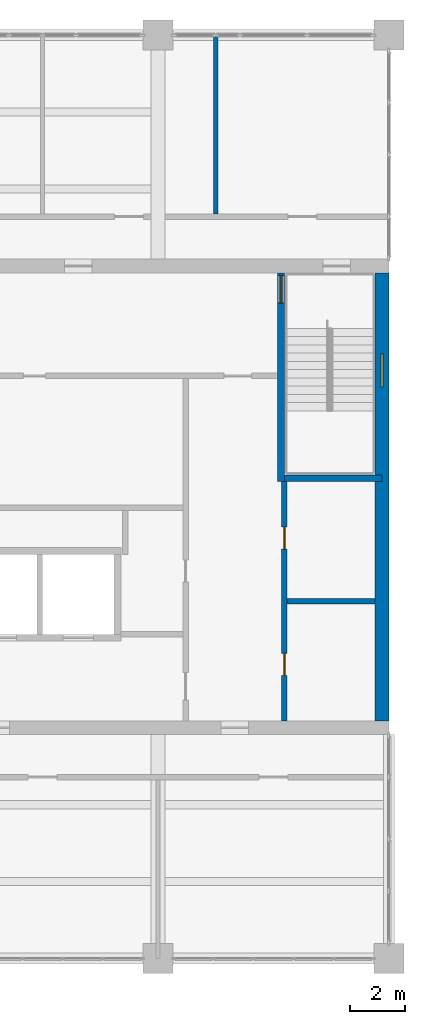
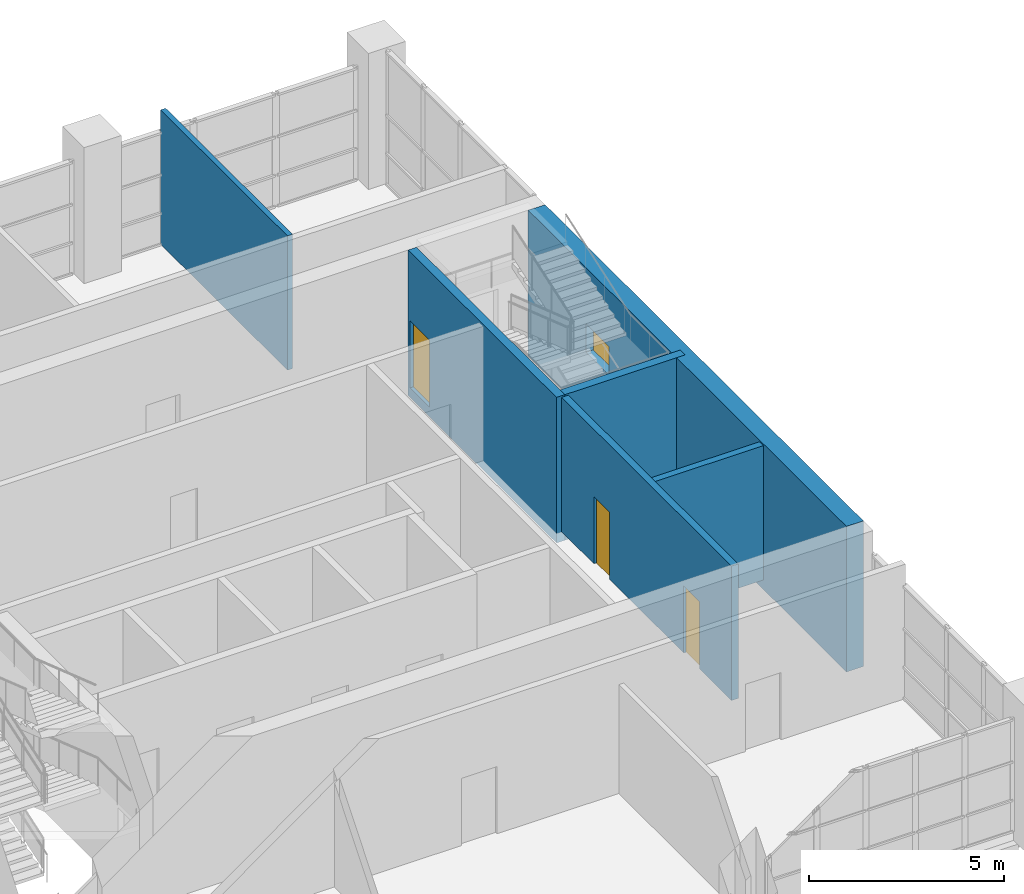
# One storey, part 37 of 64: 6 walls, 3 doors, 1 window, 4 openings.
"""IFC4 building model written with IfcOpenShell, lengths in metres."""

from ifc_helpers import new_model, si_unit, direction, frame, frame_2d, origin, place, context, subcontext, project, spatial, rectangle, extrude, material, layer, layer_set, type_object, element, fill, save


model = new_model("IFC4")

# Units and contexts
model_context = context("Model", 3, precision=1e-05, world=origin(), true_north=direction((0.0, 1.0)))
body_context = subcontext(model_context, "Body", "Model", "MODEL_VIEW")
ifc_project = project(units=[si_unit("LENGTHUNIT", "METRE"), si_unit("AREAUNIT", "SQUARE_METRE"), si_unit("VOLUMEUNIT", "CUBIC_METRE"), si_unit("PLANEANGLEUNIT", "RADIAN"), si_unit("MASSUNIT", "GRAM", prefix="KILO")], contexts=[model_context])

# Site, building, storey
site_placement = place(None, origin())
site = spatial("IfcSite", under=ifc_project, at=site_placement, CompositionType="ELEMENT")
building_placement = place(site_placement, origin())
building = spatial("IfcBuilding", under=site, at=building_placement, Name="Rulbaag Community and Learning Centre", CompositionType="ELEMENT")
storey_placement = place(building_placement, frame((0.0, 0.0, 5.39990234375)))
storey = spatial("IfcBuildingStorey", under=building, at=storey_placement, Name="L01", CompositionType="ELEMENT", Elevation=5.39990234375)

# Wall
ifc_material_1 = material(Name="Concrete blockwork", Category="masonry")
ifc_layer_1 = layer(ifc_material_1, 0.199951171875)
ifc_layer_set_1 = layer_set([ifc_layer_1], Name="FW-200 FIRE WALL 200")
wall_type_1 = type_object("IfcWallType", Name="FW-200 FIRE WALL 200", PredefinedType="SOLIDWALL", material=ifc_layer_set_1)
wall_1_placement = place(storey_placement, frame((164.300048828125, 97.0, 0.0), z_axis=(0.0, 0.0, 1.0), x_axis=(1.0, 0.0, 0.0)))
element("IfcWall", 1, at=wall_1_placement, inside=storey, type_object=wall_type_1, Name="Fire wall L01 42", PredefinedType="SOLIDWALL", context=body_context, shape_type="SweptSolid", body=[
    extrude(rectangle(XDim=3.199951171875, YDim=0.199951171875, at=frame_2d((1.60009765625, 0.0))), origin(), (0.0, 0.0, 1.0), 4.2001953125),
])

# Wall, openings, doors
wall_2_placement = place(storey_placement, frame((164.199951171875, 92.64990234375, 0.0), z_axis=(0.0, 0.0, 1.0), x_axis=(0.0, 1.0, 0.0)))
wall_2 = element("IfcWall", 2, at=wall_2_placement, inside=storey, type_object=wall_type_1, Name="Fire wall L01 94", PredefinedType="SOLIDWALL", context=body_context, shape_type="SweptSolid", body=[
    extrude(rectangle(XDim=8.7001953125, YDim=0.199951171875, at=frame_2d((4.35009765625, 0.0))), origin(), (0.0, 0.0, 1.0), 4.2001953125),
])
opening_1_placement = place(wall_2_placement, frame((1.64990234375, 0.0, 0.0)))
opening_1 = element("IfcOpeningElement", 3, at=opening_1_placement, cuts=wall_2, Name="Opening L01-D157", PredefinedType="OPENING", context=body_context, shape_type="SweptSolid", body=[
    extrude(rectangle(XDim=0.800048828125, YDim=2.10009765625, at=frame_2d((0.39990234375, 1.050048828125))), frame((0.0, 0.10986328125, 0.0), z_axis=(0.0, -1.0, 0.0), x_axis=(1.0, 0.0, 0.0)), (0.0, 0.0, 1.0), 0.219970703125),
])
opening_2_placement = place(wall_2_placement, frame((6.25, 0.0, 0.0)))
opening_2 = element("IfcOpeningElement", 4, at=opening_2_placement, cuts=wall_2, Name="Opening L01-D158", PredefinedType="OPENING", context=body_context, shape_type="SweptSolid", body=[
    extrude(rectangle(XDim=0.800048828125, YDim=2.10009765625, at=frame_2d((0.39990234375, 1.050048828125))), frame((0.0, 0.10986328125, 0.0), z_axis=(0.0, -1.0, 0.0), x_axis=(1.0, 0.0, 0.0)), (0.0, 0.0, 1.0), 0.219970703125),
])
ifc_material_2 = material(Name="Galvanised steel", Category="steel")
door_type_1 = type_object("IfcDoorType", Name="FDR-800 RISER FIRE DOOR 800 x 2100", OperationType="SINGLE_SWING_LEFT", PredefinedType="DOOR", material=ifc_material_2)
door_1_placement = place(opening_1_placement, origin())
door_1 = element("IfcDoor", 5, at=door_1_placement, inside=storey, type_object=door_type_1, Name="Riser door L01-D095", OperationType="SINGLE_SWING_LEFT", OverallHeight=2.10009765625, OverallWidth=0.800048828125, PredefinedType="DOOR", context=body_context, shape_type="SweptSolid", body=[
    extrude(rectangle(XDim=0.800048828125, YDim=2.10009765625, at=frame_2d((0.39990234375, 1.050048828125))), frame((0.0, 0.02490234375, 0.0), z_axis=(0.0, -1.0, 0.0), x_axis=(1.0, 0.0, 0.0)), (0.0, 0.0, 1.0), 0.050048828125),
])
fill(opening_1, door_1)
door_2_placement = place(opening_2_placement, origin())
door_2 = element("IfcDoor", 6, at=door_2_placement, inside=storey, type_object=door_type_1, Name="Riser door L01-D096", OperationType="SINGLE_SWING_RIGHT", OverallHeight=2.10009765625, OverallWidth=0.800048828125, PredefinedType="DOOR", context=body_context, shape_type="SweptSolid", body=[
    extrude(rectangle(XDim=0.800048828125, YDim=2.10009765625, at=frame_2d((0.39990234375, 1.050048828125))), frame((0.0, 0.02490234375, 0.0), z_axis=(0.0, -1.0, 0.0), x_axis=(1.0, 0.0, 0.0)), (0.0, 0.0, 1.0), 0.050048828125),
])
fill(opening_2, door_2)

# Wall
ifc_layer_2 = layer(ifc_material_1, 0.14990234375)
ifc_layer_set_2 = layer_set([ifc_layer_2], Name="IP-150 PARTITION 150")
wall_type_2 = type_object("IfcWallType", Name="IP-150 PARTITION 150", PredefinedType="PARTITIONING", material=ifc_layer_set_2)
wall_3_placement = place(storey_placement, frame((161.699951171875, 111.10009765625, 0.0), z_axis=(0.0, 0.0, 1.0), x_axis=(0.0, 1.0, 0.0)))
element("IfcWall", 7, at=wall_3_placement, inside=storey, type_object=wall_type_2, Name="Partition L01 91", PredefinedType="PARTITIONING", context=body_context, shape_type="SweptSolid", body=[
    extrude(rectangle(XDim=6.5, YDim=0.14990234375, at=frame_2d((3.25, 0.0))), origin(), (0.0, 0.0, 1.0), 4.2001953125),
])

# Wall, opening, window
ifc_material_3 = material(Name="Concrete M60", Category="concrete")
ifc_layer_3 = layer(ifc_material_3, 0.5)
ifc_layer_set_3 = layer_set([ifc_layer_3], Name="W4 Core wall 500 Concrete M60")
wall_type_3 = type_object("IfcWallType", Name="W4 Core wall 500 Concrete M60", PredefinedType="SHEAR", material=ifc_layer_set_3)
wall_4_placement = place(storey_placement, frame((167.75, 92.64990234375, -0.2998046875), z_axis=(0.0, 0.0, 1.0), x_axis=(0.0, 1.0, 0.0)))
wall_4 = element("IfcWall", 8, at=wall_4_placement, inside=storey, type_object=wall_type_3, Name="WL-CORE-E-L01", PredefinedType="SHEAR", context=body_context, shape_type="SweptSolid", body=[
    extrude(rectangle(XDim=16.300048828125, YDim=0.5, at=frame_2d((8.14990234375, 0.0))), origin(), (0.0, 0.0, 1.0), 4.5498046875),
])
opening_3_placement = place(wall_4_placement, frame((12.14990234375, 0.0, 1.89990234375)))
opening_3 = element("IfcOpeningElement", 9, at=opening_3_placement, cuts=wall_4, Name="Opening WN19", PredefinedType="OPENING", context=body_context, shape_type="SweptSolid", body=[
    extrude(rectangle(XDim=1.199951171875, YDim=0.89990234375, at=frame_2d((0.60009765625, 0.449951171875))), frame((0.0, 0.260009765625, 0.0), z_axis=(0.0, -1.0, 0.0), x_axis=(1.0, 0.0, 0.0)), (0.0, 0.0, 1.0), 0.52001953125),
])
ifc_material_4 = material(Name="Aluminium", Category="aluminium")
window_type = type_object("IfcWindowType", Name="WS-12", PartitioningType="SINGLE_PANEL", PredefinedType="WINDOW", material=ifc_material_4)
window_placement = place(opening_3_placement, origin())
window = element("IfcWindow", 10, at=window_placement, inside=storey, type_object=window_type, Name="Stair window", OverallHeight=0.89990234375, OverallWidth=1.199951171875, PartitioningType="SINGLE_PANEL", PredefinedType="WINDOW", context=body_context, shape_type="SweptSolid", body=[
    extrude(rectangle(XDim=1.199951171875, YDim=0.89990234375, at=frame_2d((0.60009765625, 0.449951171875))), frame((0.0, 0.030029296875, 0.0), z_axis=(0.0, -1.0, 0.0), x_axis=(1.0, 0.0, 0.0)), (0.0, 0.0, 1.0), 0.06005859375),
])
fill(opening_3, window)

# Wall, opening, door
ifc_material_5 = material(Name="Concrete M40", Category="concrete")
ifc_layer_4 = layer(ifc_material_5, 0.25)
ifc_layer_set_4 = layer_set([ifc_layer_4], Name="W5 Shaft wall 250 Concrete M40")
wall_type_4 = type_object("IfcWallType", Name="W5 Shaft wall 250 Concrete M40", PredefinedType="SHEAR", material=ifc_layer_set_4)
wall_5_placement = place(storey_placement, frame((164.074951171875, 101.35009765625, -0.2998046875), z_axis=(0.0, 0.0, 1.0), x_axis=(0.0, 1.0, 0.0)))
wall_5 = element("IfcWall", 11, at=wall_5_placement, inside=storey, type_object=wall_type_4, Name="WL-ST2-W-L01", PredefinedType="SHEAR", context=body_context, shape_type="SweptSolid", body=[
    extrude(rectangle(XDim=7.599853515625, YDim=0.25, at=frame_2d((3.7998046875, 0.0))), origin(), (0.0, 0.0, 1.0), 4.5498046875),
])
opening_4_placement = place(wall_5_placement, frame((6.5, 0.0, 0.300048828125)))
opening_4 = element("IfcOpeningElement", 12, at=opening_4_placement, cuts=wall_5, Name="Opening L01-D156", PredefinedType="OPENING", context=body_context, shape_type="SweptSolid", body=[
    extrude(rectangle(XDim=1.0, YDim=2.10009765625, at=frame_2d((0.5, 1.050048828125))), frame((0.0, 0.135009765625, 0.0), z_axis=(0.0, -1.0, 0.0), x_axis=(1.0, 0.0, 0.0)), (0.0, 0.0, 1.0), 0.27001953125),
])
door_type_2 = type_object("IfcDoorType", Name="FD-1000 FIRE DOOR 1000 x 2100", OperationType="SINGLE_SWING_LEFT", PredefinedType="DOOR", material=ifc_material_2)
door_3_placement = place(opening_4_placement, origin())
door_3 = element("IfcDoor", 13, at=door_3_placement, inside=storey, type_object=door_type_2, Name="Door L01-D156", OperationType="SINGLE_SWING_LEFT", OverallHeight=2.10009765625, OverallWidth=1.0, PredefinedType="DOOR", context=body_context, shape_type="SweptSolid", body=[
    extrude(rectangle(XDim=1.0, YDim=2.10009765625, at=frame_2d((0.5, 1.050048828125))), frame((0.0, 0.02490234375, 0.0), z_axis=(0.0, -1.0, 0.0), x_axis=(1.0, 0.0, 0.0)), (0.0, 0.0, 1.0), 0.050048828125),
])
fill(opening_4, door_3)

# Wall
wall_6_placement = place(storey_placement, frame((164.199951171875, 101.47509765625, -0.2998046875), z_axis=(0.0, 0.0, 1.0), x_axis=(1.0, 0.0, 0.0)))
element("IfcWall", 14, at=wall_6_placement, inside=storey, type_object=wall_type_4, Name="WL-ST2-S-L01", PredefinedType="SHEAR", context=body_context, shape_type="SweptSolid", body=[
    extrude(rectangle(XDim=3.550048828125, YDim=0.25, at=frame_2d((1.77490234375, 0.0))), origin(), (0.0, 0.0, 1.0), 4.5498046875),
])

save(model, "model.ifc")
